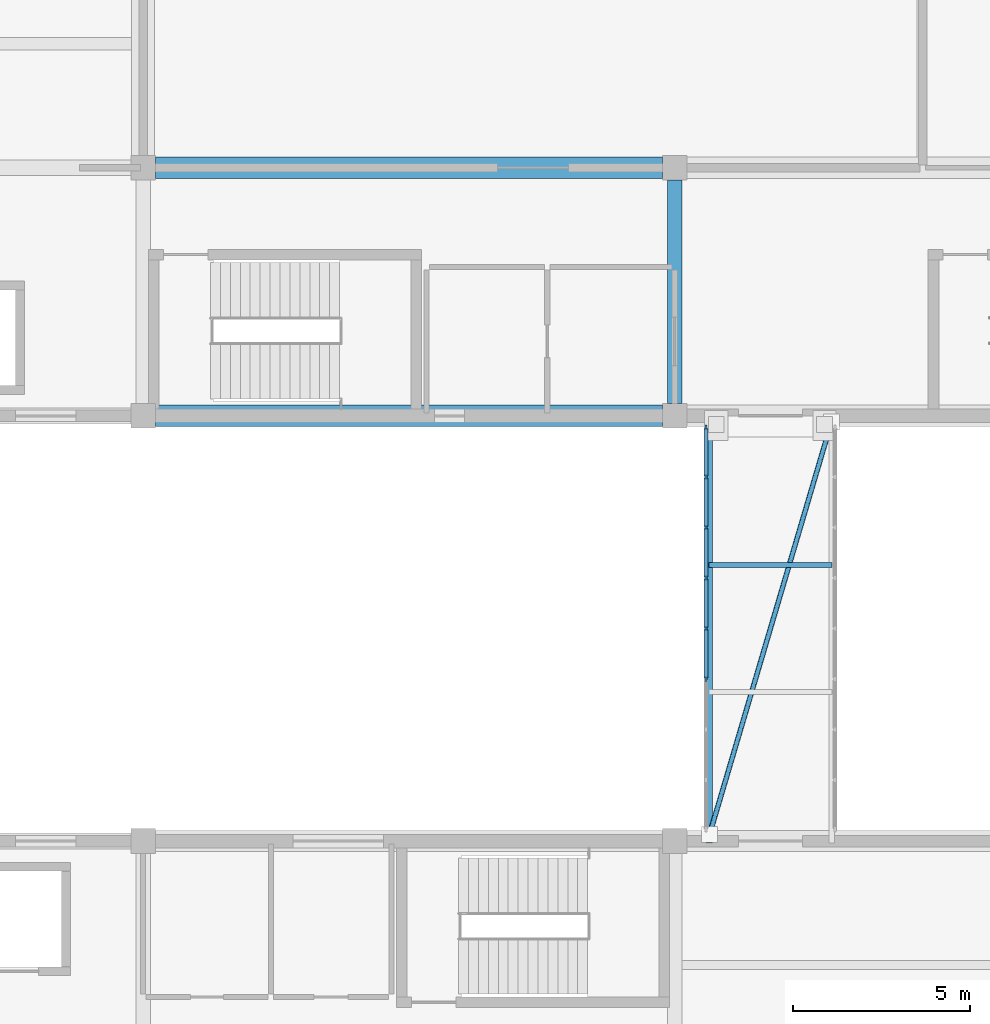
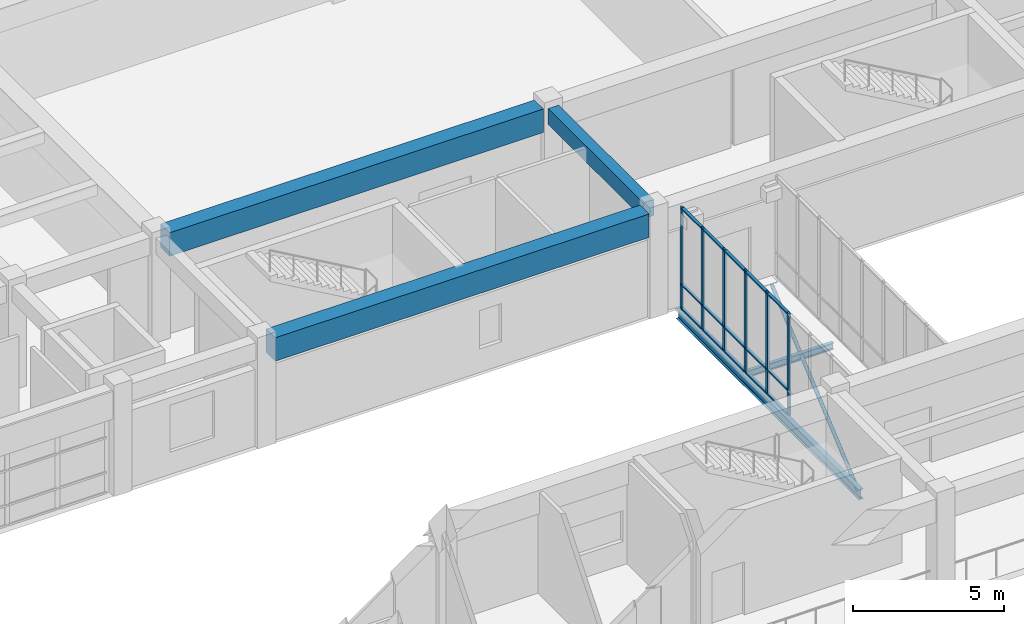
# One storey, part 11 of 70: 22 members, 5 beams, 1 element without a shape of its own.
"""IFC4 building model written with IfcOpenShell, lengths in metres."""

from ifc_helpers import new_model, si_unit, direction, frame, origin, origin_2d, place, context, subcontext, project, spatial, rectangle, hollow_circle, i_section, extrude, material, layer, layer_set, material_profile, profile_set, type_object, element, aggregate, save


model = new_model("IFC4")

# Units and contexts
model_context = context("Model", 3, precision=1e-05, world=origin(), true_north=direction((0.0, 1.0)))
body_context = subcontext(model_context, "Body", "Model", "MODEL_VIEW")
ifc_project = project(units=[si_unit("LENGTHUNIT", "METRE"), si_unit("AREAUNIT", "SQUARE_METRE"), si_unit("VOLUMEUNIT", "CUBIC_METRE"), si_unit("PLANEANGLEUNIT", "RADIAN"), si_unit("MASSUNIT", "GRAM", prefix="KILO")], contexts=[model_context])

# Site, building, storey
site_placement = place(None, origin())
site = spatial("IfcSite", under=ifc_project, at=site_placement, CompositionType="ELEMENT")
building_placement = place(site_placement, origin())
building = spatial("IfcBuilding", under=site, at=building_placement, Name="Naurynzar Civic Courthouse", CompositionType="ELEMENT")
storey_placement = place(building_placement, frame((0.0, 0.0, 5.39990234375)))
storey = spatial("IfcBuildingStorey", under=building, at=storey_placement, Name="L02", CompositionType="ELEMENT", Elevation=5.39990234375)

# Beams
ifc_material_1 = material(Name="Concrete C40/50", Category="concrete")
ifc_material_profile_1 = material_profile(ifc_material_1, rectangle(XDim=0.60009765625, YDim=0.949951171875, at=origin_2d()), Name="PTB 600x950")
ifc_profile_set_1 = profile_set([ifc_material_profile_1], Name="Concrete C40/50")
beam_type_1 = type_object("IfcBeamType", Name="BM-PT-600x950", PredefinedType="T_BEAM", material=ifc_profile_set_1)
for number, where, z_axis, x_axis, name in (
    (1, (20.35009765625, 44.0, 3.755126953125), (1.0, 0.0, 0.0), (0.0, 1.0, 0.0), "V1 beam X-117 L02"),
    (2, (20.35009765625, 51.0, 3.755126953125), (1.0, 0.0, 0.0), (0.0, 1.0, 0.0), "V1 beam X-122 L02"),
):
    element("IfcBeam", number, at=place(storey_placement, frame(where, z_axis=z_axis, x_axis=x_axis)), inside=storey, type_object=beam_type_1, Name=name, PredefinedType="T_BEAM", context=body_context, shape_type="SweptSolid", body=[
        extrude(rectangle(XDim=0.60009765625, YDim=0.949951171875, at=origin_2d()), origin(), (0.0, 0.0, 1.0), 14.2998046875),
    ])
ifc_material_2 = material(Name="Concrete C40/50", Category="concrete")
ifc_material_profile_2 = material_profile(ifc_material_2, rectangle(XDim=0.39990234375, YDim=0.64990234375, at=origin_2d()), Name="RCB 400x650")
ifc_profile_set_2 = profile_set([ifc_material_profile_2], Name="Concrete C40/50")
beam_type_2 = type_object("IfcBeamType", Name="BM-RC-400x650", PredefinedType="BEAM", material=ifc_profile_set_2)
beam_1_placement = place(storey_placement, frame((35.0, 44.35009765625, 3.905029296875), z_axis=(0.0, 1.0, 0.0), x_axis=(-1.0, 0.0, 0.0)))
element("IfcBeam", 3, at=beam_1_placement, inside=storey, type_object=beam_type_2, Name="V1 girder Y-144 L02", PredefinedType="BEAM", context=body_context, shape_type="SweptSolid", body=[
    extrude(rectangle(XDim=0.39990234375, YDim=0.64990234375, at=origin_2d()), origin(), (0.0, 0.0, 1.0), 6.2998046875),
])
ifc_material_3 = material(Name="Steel S355", Category="steel")
ifc_material_profile_3 = material_profile(ifc_material_3, i_section(OverallWidth=0.135009765625, OverallDepth=0.27001953125, WebThickness=0.006591796875, FlangeThickness=0.01025390625, FilletRadius=0.014892578125, at=origin_2d()), Name="IPE 270")
ifc_profile_set_3 = profile_set([ifc_material_profile_3], Name="Steel S355")
beam_type_3 = type_object("IfcBeamType", Name="BM-STL-IPE270", PredefinedType="BEAM", material=ifc_profile_set_3)
beam_2_placement = place(storey_placement, frame((35.969970703125, 39.7939453125, -0.375), z_axis=(1.0, 0.0, 0.0), x_axis=(0.0, 1.0, 0.0)))
element("IfcBeam", 4, at=beam_2_placement, inside=storey, type_object=beam_type_3, Name="BR-W1 deck cross-beam L02.2", PredefinedType="BEAM", context=body_context, shape_type="SweptSolid", body=[
    extrude(i_section(OverallWidth=0.135009765625, OverallDepth=0.27001953125, WebThickness=0.006591796875, FlangeThickness=0.01025390625, FilletRadius=0.014892578125, at=origin_2d()), origin(), (0.0, 0.0, 1.0), 3.4599609375),
])
ifc_material_4 = material(Name="Steel S355", Category="steel")
ifc_material_profile_4 = material_profile(ifc_material_4, i_section(OverallWidth=0.179931640625, OverallDepth=0.39990234375, WebThickness=0.008544921875, FlangeThickness=0.013427734375, FilletRadius=0.02099609375, at=origin_2d()), Name="IPE 400")
ifc_profile_set_4 = profile_set([ifc_material_profile_4], Name="Steel S355")
beam_type_4 = type_object("IfcBeamType", Name="BM-STL-IPE400", PredefinedType="BEAM", material=ifc_profile_set_4)
beam_3_placement = place(storey_placement, frame((35.969970703125, 31.949951171875, -0.43994140625), z_axis=(0.0, 1.0, 0.0), x_axis=(-1.0, 0.0, 0.0)))
element("IfcBeam", 5, at=beam_3_placement, inside=storey, type_object=beam_type_4, Name="BR-W1 edge steel beam L02.1", PredefinedType="BEAM", context=body_context, shape_type="SweptSolid", body=[
    extrude(i_section(OverallWidth=0.179931640625, OverallDepth=0.39990234375, WebThickness=0.008544921875, FlangeThickness=0.013427734375, FilletRadius=0.02099609375, at=origin_2d()), origin(), (0.0, 0.0, 1.0), 12.10009765625),
])

# Curtain wall, members
ifc_material_5 = material(Name="Aluminium 6063-T6", Category="aluminium")
ifc_layer = layer(ifc_material_5, 0.14990234375)
ifc_layer_set = layer_set([ifc_layer], Name="CW-BRIDGE-1500")
curtain_wall_type = type_object("IfcCurtainWallType", Name="CW-BRIDGE-1500", PredefinedType="USERDEFINED", material=ifc_layer_set)
curtain_wall_placement = place(storey_placement, origin())
curtain_wall = element("IfcCurtainWall", 6, at=curtain_wall_placement, inside=storey, type_object=curtain_wall_type, Name="BR-W1 glazed bridge screen L02.1", ObjectType="GLAZED BRIDGE SCREEN", PredefinedType="USERDEFINED")
ifc_material_6 = material(Name="Aluminium 6063-T6", Category="aluminium")
ifc_material_profile_5 = material_profile(ifc_material_6, rectangle(XDim=0.06005859375, YDim=0.14990234375, at=origin_2d()), Name="ALU MULLION 60x150")
ifc_profile_set_5 = profile_set([ifc_material_profile_5], Name="Aluminium 6063-T6")
member_type_1 = type_object("IfcMemberType", Name="CWM-60x150", PredefinedType="MULLION", material=ifc_profile_set_5)
member_1_placement = place(storey_placement, frame((35.8798828125, 43.669921875, 0.0), z_axis=(0.0, 0.0, 1.0), x_axis=(1.0, 0.0, 0.0)))
member_1 = element("IfcMember", 7, at=member_1_placement, type_object=member_type_1, Name="CW-03 mullion 1", PredefinedType="MULLION", context=body_context, shape_type="SweptSolid", body=[
    extrude(rectangle(XDim=0.06005859375, YDim=0.14990234375, at=origin_2d()), origin(), (0.0, 0.0, 1.0), 4.1201171875),
])
member_2_placement = place(storey_placement, frame((35.8798828125, 42.27490234375, 0.0), z_axis=(0.0, 0.0, 1.0), x_axis=(1.0, 0.0, 0.0)))
member_2 = element("IfcMember", 8, at=member_2_placement, type_object=member_type_1, Name="CW-03 mullion 2", PredefinedType="MULLION", context=body_context, shape_type="SweptSolid", body=[
    extrude(rectangle(XDim=0.06005859375, YDim=0.14990234375, at=origin_2d()), origin(), (0.0, 0.0, 1.0), 4.1201171875),
])
member_3_placement = place(storey_placement, frame((35.8798828125, 40.85009765625, 0.0), z_axis=(0.0, 0.0, 1.0), x_axis=(1.0, 0.0, 0.0)))
member_3 = element("IfcMember", 9, at=member_3_placement, type_object=member_type_1, Name="CW-03 mullion 3", PredefinedType="MULLION", context=body_context, shape_type="SweptSolid", body=[
    extrude(rectangle(XDim=0.06005859375, YDim=0.14990234375, at=origin_2d()), origin(), (0.0, 0.0, 1.0), 4.1201171875),
])
member_4_placement = place(storey_placement, frame((35.8798828125, 39.425048828125, 0.0), z_axis=(0.0, 0.0, 1.0), x_axis=(1.0, 0.0, 0.0)))
member_4 = element("IfcMember", 10, at=member_4_placement, type_object=member_type_1, Name="CW-03 mullion 4", PredefinedType="MULLION", context=body_context, shape_type="SweptSolid", body=[
    extrude(rectangle(XDim=0.06005859375, YDim=0.14990234375, at=origin_2d()), origin(), (0.0, 0.0, 1.0), 4.1201171875),
])
member_5_placement = place(storey_placement, frame((35.8798828125, 38.0, 0.0), z_axis=(0.0, 0.0, 1.0), x_axis=(1.0, 0.0, 0.0)))
member_5 = element("IfcMember", 11, at=member_5_placement, type_object=member_type_1, Name="CW-03 mullion 5", PredefinedType="MULLION", context=body_context, shape_type="SweptSolid", body=[
    extrude(rectangle(XDim=0.06005859375, YDim=0.14990234375, at=origin_2d()), origin(), (0.0, 0.0, 1.0), 4.1201171875),
])
member_6_placement = place(storey_placement, frame((35.8798828125, 36.574951171875, 0.0), z_axis=(0.0, 0.0, 1.0), x_axis=(1.0, 0.0, 0.0)))
member_6 = element("IfcMember", 12, at=member_6_placement, type_object=member_type_1, Name="CW-03 mullion 6", PredefinedType="MULLION", context=body_context, shape_type="SweptSolid", body=[
    extrude(rectangle(XDim=0.06005859375, YDim=0.14990234375, at=origin_2d()), origin(), (0.0, 0.0, 1.0), 4.1201171875),
])
ifc_material_7 = material(Name="Aluminium 6063-T6", Category="aluminium")
ifc_material_profile_6 = material_profile(ifc_material_7, rectangle(XDim=0.110107421875, YDim=0.06005859375, at=origin_2d()), Name="ALU TRANSOM 60x110")
ifc_profile_set_6 = profile_set([ifc_material_profile_6], Name="Aluminium 6063-T6")
member_type_2 = type_object("IfcMemberType", Name="CWT-60x110", PredefinedType="USERDEFINED", material=ifc_profile_set_6)
member_7_placement = place(storey_placement, frame((35.8798828125, 43.639892578125, 0.030029296875), z_axis=(0.0, -1.0, 0.0), x_axis=(1.0, 0.0, 0.0)))
member_7 = element("IfcMember", 13, at=member_7_placement, type_object=member_type_2, Name="CW-03 transom 1.1", ObjectType="TRANSOM", PredefinedType="USERDEFINED", context=body_context, shape_type="SweptSolid", body=[
    extrude(rectangle(XDim=0.110107421875, YDim=0.06005859375, at=origin_2d()), origin(), (0.0, 0.0, 1.0), 1.3349609375),
])
member_8_placement = place(storey_placement, frame((35.8798828125, 43.639892578125, 1.0), z_axis=(0.0, -1.0, 0.0), x_axis=(1.0, 0.0, 0.0)))
member_8 = element("IfcMember", 14, at=member_8_placement, type_object=member_type_2, Name="CW-03 transom 1.2", ObjectType="TRANSOM", PredefinedType="USERDEFINED", context=body_context, shape_type="SweptSolid", body=[
    extrude(rectangle(XDim=0.110107421875, YDim=0.06005859375, at=origin_2d()), origin(), (0.0, 0.0, 1.0), 1.3349609375),
])
member_9_placement = place(storey_placement, frame((35.8798828125, 43.639892578125, 4.090087890625), z_axis=(0.0, -1.0, 0.0), x_axis=(1.0, 0.0, 0.0)))
member_9 = element("IfcMember", 15, at=member_9_placement, type_object=member_type_2, Name="CW-03 transom 1.3", ObjectType="TRANSOM", PredefinedType="USERDEFINED", context=body_context, shape_type="SweptSolid", body=[
    extrude(rectangle(XDim=0.110107421875, YDim=0.06005859375, at=origin_2d()), origin(), (0.0, 0.0, 1.0), 1.3349609375),
])
member_10_placement = place(storey_placement, frame((35.8798828125, 42.2451171875, 0.030029296875), z_axis=(0.0, -1.0, 0.0), x_axis=(1.0, 0.0, 0.0)))
member_10 = element("IfcMember", 16, at=member_10_placement, type_object=member_type_2, Name="CW-03 transom 2.1", ObjectType="TRANSOM", PredefinedType="USERDEFINED", context=body_context, shape_type="SweptSolid", body=[
    extrude(rectangle(XDim=0.110107421875, YDim=0.06005859375, at=origin_2d()), origin(), (0.0, 0.0, 1.0), 1.365234375),
])
member_11_placement = place(storey_placement, frame((35.8798828125, 42.2451171875, 1.0), z_axis=(0.0, -1.0, 0.0), x_axis=(1.0, 0.0, 0.0)))
member_11 = element("IfcMember", 17, at=member_11_placement, type_object=member_type_2, Name="CW-03 transom 2.2", ObjectType="TRANSOM", PredefinedType="USERDEFINED", context=body_context, shape_type="SweptSolid", body=[
    extrude(rectangle(XDim=0.110107421875, YDim=0.06005859375, at=origin_2d()), origin(), (0.0, 0.0, 1.0), 1.365234375),
])
member_12_placement = place(storey_placement, frame((35.8798828125, 42.2451171875, 4.090087890625), z_axis=(0.0, -1.0, 0.0), x_axis=(1.0, 0.0, 0.0)))
member_12 = element("IfcMember", 18, at=member_12_placement, type_object=member_type_2, Name="CW-03 transom 2.3", ObjectType="TRANSOM", PredefinedType="USERDEFINED", context=body_context, shape_type="SweptSolid", body=[
    extrude(rectangle(XDim=0.110107421875, YDim=0.06005859375, at=origin_2d()), origin(), (0.0, 0.0, 1.0), 1.365234375),
])
member_13_placement = place(storey_placement, frame((35.8798828125, 40.820068359375, 0.030029296875), z_axis=(0.0, -1.0, 0.0), x_axis=(1.0, 0.0, 0.0)))
member_13 = element("IfcMember", 19, at=member_13_placement, type_object=member_type_2, Name="CW-03 transom 3.1", ObjectType="TRANSOM", PredefinedType="USERDEFINED", context=body_context, shape_type="SweptSolid", body=[
    extrude(rectangle(XDim=0.110107421875, YDim=0.06005859375, at=origin_2d()), origin(), (0.0, 0.0, 1.0), 1.364990234375),
])
member_14_placement = place(storey_placement, frame((35.8798828125, 40.820068359375, 1.0), z_axis=(0.0, -1.0, 0.0), x_axis=(1.0, 0.0, 0.0)))
member_14 = element("IfcMember", 20, at=member_14_placement, type_object=member_type_2, Name="CW-03 transom 3.2", ObjectType="TRANSOM", PredefinedType="USERDEFINED", context=body_context, shape_type="SweptSolid", body=[
    extrude(rectangle(XDim=0.110107421875, YDim=0.06005859375, at=origin_2d()), origin(), (0.0, 0.0, 1.0), 1.364990234375),
])
member_15_placement = place(storey_placement, frame((35.8798828125, 40.820068359375, 4.090087890625), z_axis=(0.0, -1.0, 0.0), x_axis=(1.0, 0.0, 0.0)))
member_15 = element("IfcMember", 21, at=member_15_placement, type_object=member_type_2, Name="CW-03 transom 3.3", ObjectType="TRANSOM", PredefinedType="USERDEFINED", context=body_context, shape_type="SweptSolid", body=[
    extrude(rectangle(XDim=0.110107421875, YDim=0.06005859375, at=origin_2d()), origin(), (0.0, 0.0, 1.0), 1.364990234375),
])
member_16_placement = place(storey_placement, frame((35.8798828125, 39.39501953125, 0.030029296875), z_axis=(0.0, -1.0, 0.0), x_axis=(1.0, 0.0, 0.0)))
member_16 = element("IfcMember", 22, at=member_16_placement, type_object=member_type_2, Name="CW-03 transom 4.1", ObjectType="TRANSOM", PredefinedType="USERDEFINED", context=body_context, shape_type="SweptSolid", body=[
    extrude(rectangle(XDim=0.110107421875, YDim=0.06005859375, at=origin_2d()), origin(), (0.0, 0.0, 1.0), 1.364990234375),
])
member_17_placement = place(storey_placement, frame((35.8798828125, 39.39501953125, 1.0), z_axis=(0.0, -1.0, 0.0), x_axis=(1.0, 0.0, 0.0)))
member_17 = element("IfcMember", 23, at=member_17_placement, type_object=member_type_2, Name="CW-03 transom 4.2", ObjectType="TRANSOM", PredefinedType="USERDEFINED", context=body_context, shape_type="SweptSolid", body=[
    extrude(rectangle(XDim=0.110107421875, YDim=0.06005859375, at=origin_2d()), origin(), (0.0, 0.0, 1.0), 1.364990234375),
])
member_18_placement = place(storey_placement, frame((35.8798828125, 39.39501953125, 4.090087890625), z_axis=(0.0, -1.0, 0.0), x_axis=(1.0, 0.0, 0.0)))
member_18 = element("IfcMember", 24, at=member_18_placement, type_object=member_type_2, Name="CW-03 transom 4.3", ObjectType="TRANSOM", PredefinedType="USERDEFINED", context=body_context, shape_type="SweptSolid", body=[
    extrude(rectangle(XDim=0.110107421875, YDim=0.06005859375, at=origin_2d()), origin(), (0.0, 0.0, 1.0), 1.364990234375),
])
member_19_placement = place(storey_placement, frame((35.8798828125, 37.969970703125, 0.030029296875), z_axis=(0.0, -1.0, 0.0), x_axis=(1.0, 0.0, 0.0)))
member_19 = element("IfcMember", 25, at=member_19_placement, type_object=member_type_2, Name="CW-03 transom 5.1", ObjectType="TRANSOM", PredefinedType="USERDEFINED", context=body_context, shape_type="SweptSolid", body=[
    extrude(rectangle(XDim=0.110107421875, YDim=0.06005859375, at=origin_2d()), origin(), (0.0, 0.0, 1.0), 1.364990234375),
])
member_20_placement = place(storey_placement, frame((35.8798828125, 37.969970703125, 1.0), z_axis=(0.0, -1.0, 0.0), x_axis=(1.0, 0.0, 0.0)))
member_20 = element("IfcMember", 26, at=member_20_placement, type_object=member_type_2, Name="CW-03 transom 5.2", ObjectType="TRANSOM", PredefinedType="USERDEFINED", context=body_context, shape_type="SweptSolid", body=[
    extrude(rectangle(XDim=0.110107421875, YDim=0.06005859375, at=origin_2d()), origin(), (0.0, 0.0, 1.0), 1.364990234375),
])
member_21_placement = place(storey_placement, frame((35.8798828125, 37.969970703125, 4.090087890625), z_axis=(0.0, -1.0, 0.0), x_axis=(1.0, 0.0, 0.0)))
member_21 = element("IfcMember", 27, at=member_21_placement, type_object=member_type_2, Name="CW-03 transom 5.3", ObjectType="TRANSOM", PredefinedType="USERDEFINED", context=body_context, shape_type="SweptSolid", body=[
    extrude(rectangle(XDim=0.110107421875, YDim=0.06005859375, at=origin_2d()), origin(), (0.0, 0.0, 1.0), 1.364990234375),
])
aggregate(curtain_wall, [member_1, member_2, member_3, member_4, member_5, member_6, member_7, member_8, member_9, member_10, member_11, member_12, member_13, member_14, member_15, member_16, member_17, member_18, member_19, member_20, member_21])

# Member
ifc_material_8 = material(Name="Steel S355", Category="steel")
ifc_material_profile_7 = material_profile(ifc_material_8, hollow_circle(Radius=0.06982421875, WallThickness=0.008056640625, at=origin_2d()), Name="CHS 139.7x8")
ifc_profile_set_7 = profile_set([ifc_material_profile_7], Name="Steel S355")
member_type_3 = type_object("IfcMemberType", Name="MEM-BRACE-CHS139", PredefinedType="BRACE", material=ifc_profile_set_7)
member_22_placement = place(storey_placement, frame((35.97998046875, 32.179931640625, -0.40478515625), z_axis=(0.283407524243, 0.95899956997, 0.0), x_axis=(-0.95899956997, 0.283407524243, 0.0)))
element("IfcMember", 28, at=member_22_placement, inside=storey, type_object=member_type_3, Name="BR-W1 wind brace L02.1", PredefinedType="BRACE", context=body_context, shape_type="SweptSolid", body=[
    extrude(hollow_circle(Radius=0.06982421875, WallThickness=0.008056640625, at=origin_2d()), origin(), (0.0, 0.0, 1.0), 12.1376953125),
])

save(model, "model.ifc")
